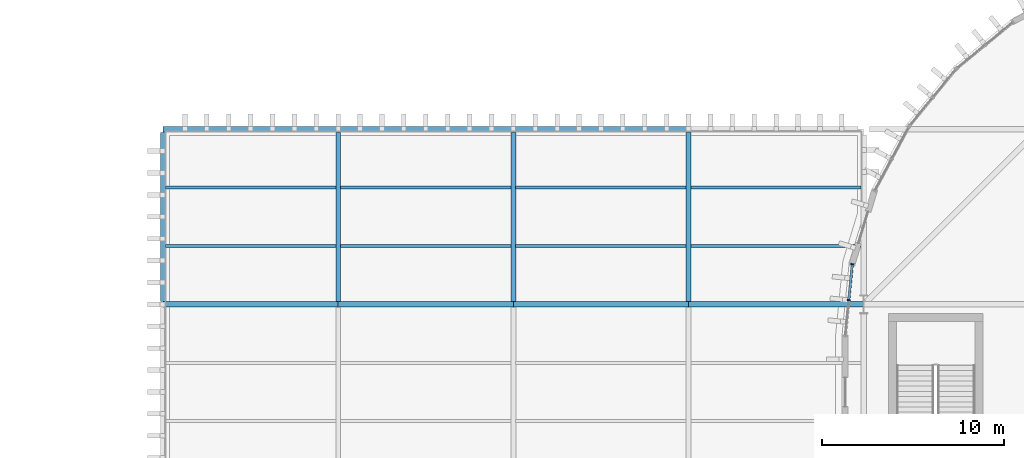
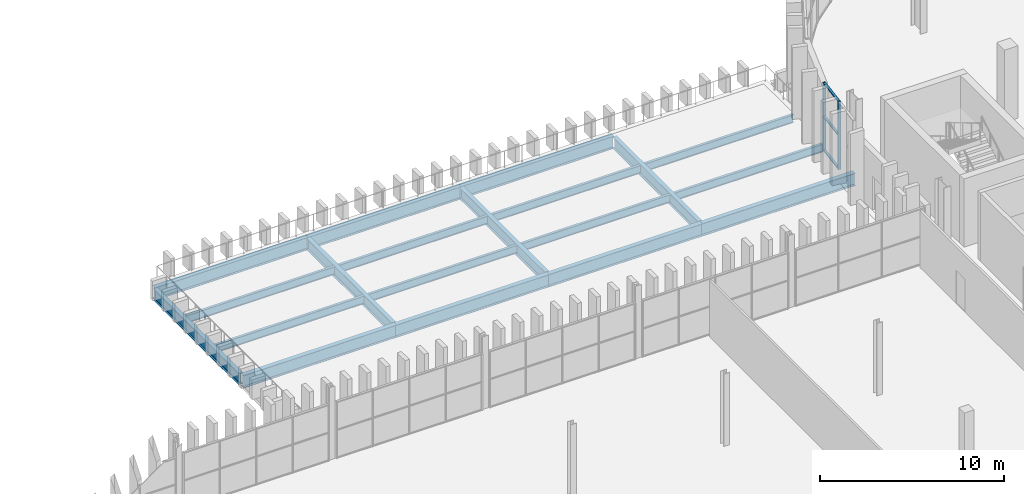
# One storey, part 30 of 99: 19 beams, 5 members, 1 element without a shape of its own.
"""IFC4 building model written with IfcOpenShell, lengths in metres."""

from ifc_helpers import new_model, si_unit, direction, frame, origin, origin_2d, place, context, subcontext, project, spatial, rectangle, i_section, extrude, material, layer, layer_set, material_profile, profile_set, type_object, element, aggregate, save


model = new_model("IFC4")

# Units and contexts
model_context = context("Model", 3, precision=1e-05, world=origin(), true_north=direction((0.0, 1.0)))
body_context = subcontext(model_context, "Body", "Model", "MODEL_VIEW")
ifc_project = project(units=[si_unit("LENGTHUNIT", "METRE"), si_unit("AREAUNIT", "SQUARE_METRE"), si_unit("VOLUMEUNIT", "CUBIC_METRE"), si_unit("PLANEANGLEUNIT", "RADIAN"), si_unit("MASSUNIT", "GRAM", prefix="KILO")], contexts=[model_context])

# Site, building, storey
site_placement = place(None, origin())
site = spatial("IfcSite", under=ifc_project, at=site_placement, CompositionType="ELEMENT")
building_placement = place(site_placement, origin())
building = spatial("IfcBuilding", under=site, at=building_placement, Name="Caelomonte Colonnade Arena", CompositionType="ELEMENT")
storey_placement = place(building_placement, frame((0.0, 0.0, 4.800048828125)))
storey = spatial("IfcBuildingStorey", under=building, at=storey_placement, Name="L01", CompositionType="ELEMENT", Elevation=4.800048828125)

# Curtain wall, members
ifc_material_1 = material(Name="Bronze anodised aluminium and low-E glazing", Category="aluminium")
ifc_layer = layer(ifc_material_1, 0.179931640625)
ifc_layer_set = layer_set([ifc_layer], Name="Bronze anodised aluminium and low-E glazing")
curtain_wall_type = type_object("IfcCurtainWallType", Name="ENV-CW-CW-L01-44-45", PredefinedType="USERDEFINED", material=ifc_layer_set)
curtain_wall_placement = place(storey_placement, origin())
curtain_wall = element("IfcCurtainWall", 1, at=curtain_wall_placement, inside=storey, type_object=curtain_wall_type, Name="L01 unitized curtain wall CW-L01-0568-0962", ObjectType="UNITIZED CURTAIN WALL", PredefinedType="USERDEFINED")
ifc_material_2 = material(Name="Bronze anodised aluminium AA6063-T6", Category="aluminium")
ifc_material_profile_1 = material_profile(ifc_material_2, rectangle(XDim=0.070068359375, YDim=0.179931640625, at=origin_2d()), Name="CWM-70X180")
ifc_profile_set_1 = profile_set([ifc_material_profile_1], Name="Bronze anodised aluminium AA6063-T6")
member_type_1 = type_object("IfcMemberType", Name="ENV-CW-MULL1", PredefinedType="MULLION", material=ifc_profile_set_1)
member_1_placement = place(storey_placement, frame((56.975341796875, 98.20458984375, 0.0), z_axis=(0.0, 0.0, 1.0), x_axis=(-0.098002498041, -0.995186168703, 0.0)))
member_1 = element("IfcMember", 2, at=member_1_placement, type_object=member_type_1, Name="CW-L01-44-45 mullion 1", PredefinedType="MULLION", context=body_context, shape_type="SweptSolid", body=[
    extrude(rectangle(XDim=0.070068359375, YDim=0.179931640625, at=origin_2d()), origin(), (0.0, 0.0, 1.0), 4.52001953125),
])
member_2_placement = place(storey_placement, frame((56.781005859375, 96.230712890625, 0.0), z_axis=(0.0, 0.0, 1.0), x_axis=(-0.098002498041, -0.995186168703, 0.0)))
member_2 = element("IfcMember", 3, at=member_2_placement, type_object=member_type_1, Name="CW-L01-44-45 mullion 2", PredefinedType="MULLION", context=body_context, shape_type="SweptSolid", body=[
    extrude(rectangle(XDim=0.070068359375, YDim=0.179931640625, at=origin_2d()), origin(), (0.0, 0.0, 1.0), 4.52001953125),
])
ifc_material_profile_2 = material_profile(ifc_material_2, rectangle(XDim=0.070068359375, YDim=0.139892578125, at=origin_2d()), Name="CWT-70X140")
ifc_profile_set_2 = profile_set([ifc_material_profile_2], Name="Bronze anodised aluminium AA6063-T6")
member_type_2 = type_object("IfcMemberType", Name="ENV-CW-TRAN1", PredefinedType="USERDEFINED", material=ifc_profile_set_2)
member_3_placement = place(storey_placement, frame((56.971923828125, 98.169677734375, 0.034912109375), z_axis=(-0.098000148132, -0.995186400111, 0.0), x_axis=(0.0, 0.0, 1.0)))
member_3 = element("IfcMember", 4, at=member_3_placement, type_object=member_type_2, Name="CW-L01-44-45 transom 1.1", ObjectType="TRANSOM", PredefinedType="USERDEFINED", context=body_context, shape_type="SweptSolid", body=[
    extrude(rectangle(XDim=0.070068359375, YDim=0.139892578125, at=origin_2d()), origin(), (0.0, 0.0, 1.0), 1.913330078125),
])
member_4_placement = place(storey_placement, frame((56.971923828125, 98.169677734375, 2.260009765625), z_axis=(-0.098000148132, -0.995186400111, 0.0), x_axis=(0.0, 0.0, 1.0)))
member_4 = element("IfcMember", 5, at=member_4_placement, type_object=member_type_2, Name="CW-L01-44-45 transom 1.2", ObjectType="TRANSOM", PredefinedType="USERDEFINED", context=body_context, shape_type="SweptSolid", body=[
    extrude(rectangle(XDim=0.070068359375, YDim=0.139892578125, at=origin_2d()), origin(), (0.0, 0.0, 1.0), 1.913330078125),
])
member_5_placement = place(storey_placement, frame((56.971923828125, 98.169677734375, 4.48486328125), z_axis=(-0.098000148132, -0.995186400111, 0.0), x_axis=(0.0, 0.0, 1.0)))
member_5 = element("IfcMember", 6, at=member_5_placement, type_object=member_type_2, Name="CW-L01-44-45 transom 1.3", ObjectType="TRANSOM", PredefinedType="USERDEFINED", context=body_context, shape_type="SweptSolid", body=[
    extrude(rectangle(XDim=0.070068359375, YDim=0.139892578125, at=origin_2d()), origin(), (0.0, 0.0, 1.0), 1.913330078125),
])
aggregate(curtain_wall, [member_1, member_2, member_3, member_4, member_5])

# Beams
ifc_material_3 = material(Name="Wide-flange steel ASTM A992 Grade 50", Category="steel")
ifc_material_profile_3 = material_profile(ifc_material_3, i_section(OverallWidth=0.2666015625, OverallDepth=0.761962890625, WebThickness=0.014404296875, FlangeThickness=0.021484375, FilletRadius=0.0166015625, at=origin_2d()), Name="W30X116")
ifc_profile_set_3 = profile_set([ifc_material_profile_3], Name="Wide-flange steel ASTM A992 Grade 50")
beam_type_1 = type_object("IfcBeamType", Name="STR-BM-GIRD30", PredefinedType="BEAM", material=ifc_profile_set_3)
for number, where, z_axis, x_axis, name in (
    (7, (19.199951171875, 96.170166015625, -0.68115234375), (0.0, 1.0, 0.0), (-1.0, 0.0, 0.0), "L01 girder BMY-L01-0192-0960"),
    (8, (28.800048828125, 96.170166015625, -0.68115234375), (0.0, 1.0, 0.0), (-1.0, 0.0, 0.0), "L01 girder BMY-L01-0288-0960"),
    (9, (38.39990234375, 96.170166015625, -0.68115234375), (0.0, 1.0, 0.0), (-1.0, 0.0, 0.0), "L01 girder BMY-L01-0384-0960"),
    (10, (48.0, 96.170166015625, -0.68115234375), (0.0, 1.0, 0.0), (-1.0, 0.0, 0.0), "L01 girder BMY-L01-0480-0960"),
):
    element("IfcBeam", number, at=place(storey_placement, frame(where, z_axis=z_axis, x_axis=x_axis)), inside=storey, type_object=beam_type_1, Name=name, PredefinedType="BEAM", context=body_context, shape_type="SweptSolid", body=[
        extrude(i_section(OverallWidth=0.2666015625, OverallDepth=0.761962890625, WebThickness=0.014404296875, FlangeThickness=0.021484375, FilletRadius=0.0166015625, at=origin_2d()), origin(), (0.0, 0.0, 1.0), 9.259765625),
    ])
ifc_material_profile_4 = material_profile(ifc_material_3, i_section(OverallWidth=0.2919921875, OverallDepth=0.835693359375, WebThickness=0.013916015625, FlangeThickness=0.018798828125, FilletRadius=0.017822265625, at=origin_2d()), Name="W33X118")
ifc_profile_set_4 = profile_set([ifc_material_profile_4], Name="Wide-flange steel ASTM A992 Grade 50")
beam_type_2 = type_object("IfcBeamType", Name="STR-BM-GIRD33B", PredefinedType="BEAM", material=ifc_profile_set_4)
beam_1_placement = place(storey_placement, frame((19.20556640625, 96.0, -0.7177734375), z_axis=(1.0, 0.0, 0.0), x_axis=(0.0, 1.0, 0.0)))
element("IfcBeam", 11, at=beam_1_placement, inside=storey, type_object=beam_type_2, Name="L01 girder BMX-L01-0192-0960", PredefinedType="BEAM", context=body_context, shape_type="SweptSolid", body=[
    extrude(i_section(OverallWidth=0.2919921875, OverallDepth=0.835693359375, WebThickness=0.013916015625, FlangeThickness=0.018798828125, FilletRadius=0.017822265625, at=origin_2d()), origin(), (0.0, 0.0, 1.0), 9.5888671875),
])
beam_2_placement = place(storey_placement, frame((28.8056640625, 96.0, -0.7177734375), z_axis=(1.0, 0.0, 0.0), x_axis=(0.0, 1.0, 0.0)))
element("IfcBeam", 12, at=beam_2_placement, inside=storey, type_object=beam_type_2, Name="L01 girder BMX-L01-0288-0960", PredefinedType="BEAM", context=body_context, shape_type="SweptSolid", body=[
    extrude(i_section(OverallWidth=0.2919921875, OverallDepth=0.835693359375, WebThickness=0.013916015625, FlangeThickness=0.018798828125, FilletRadius=0.017822265625, at=origin_2d()), origin(), (0.0, 0.0, 1.0), 9.588623046875),
])
beam_3_placement = place(storey_placement, frame((38.405517578125, 96.0, -0.7177734375), z_axis=(1.0, 0.0, 0.0), x_axis=(0.0, 1.0, 0.0)))
element("IfcBeam", 13, at=beam_3_placement, inside=storey, type_object=beam_type_2, Name="L01 girder BMX-L01-0384-0960", PredefinedType="BEAM", context=body_context, shape_type="SweptSolid", body=[
    extrude(i_section(OverallWidth=0.2919921875, OverallDepth=0.835693359375, WebThickness=0.013916015625, FlangeThickness=0.018798828125, FilletRadius=0.017822265625, at=origin_2d()), origin(), (0.0, 0.0, 1.0), 9.5888671875),
])
beam_4_placement = place(storey_placement, frame((48.005615234375, 96.0, -0.7177734375), z_axis=(1.0, 0.0, 0.0), x_axis=(0.0, 1.0, 0.0)))
element("IfcBeam", 14, at=beam_4_placement, inside=storey, type_object=beam_type_2, Name="L01 girder BMX-L01-0480-0960", PredefinedType="BEAM", context=body_context, shape_type="SweptSolid", body=[
    extrude(i_section(OverallWidth=0.2919921875, OverallDepth=0.835693359375, WebThickness=0.013916015625, FlangeThickness=0.018798828125, FilletRadius=0.017822265625, at=origin_2d()), origin(), (0.0, 0.0, 1.0), 9.578857421875),
])
beam_5_placement = place(storey_placement, frame((19.20556640625, 105.60009765625, -0.7177734375), z_axis=(1.0, 0.0, 0.0), x_axis=(0.0, 1.0, 0.0)))
element("IfcBeam", 15, at=beam_5_placement, inside=storey, type_object=beam_type_2, Name="L01 girder BMX-L01-0192-1056", PredefinedType="BEAM", context=body_context, shape_type="SweptSolid", body=[
    extrude(i_section(OverallWidth=0.2919921875, OverallDepth=0.835693359375, WebThickness=0.013916015625, FlangeThickness=0.018798828125, FilletRadius=0.017822265625, at=origin_2d()), origin(), (0.0, 0.0, 1.0), 9.5888671875),
])
beam_6_placement = place(storey_placement, frame((28.8056640625, 105.60009765625, -0.7177734375), z_axis=(1.0, 0.0, 0.0), x_axis=(0.0, 1.0, 0.0)))
element("IfcBeam", 16, at=beam_6_placement, inside=storey, type_object=beam_type_2, Name="L01 girder BMX-L01-0288-1056", PredefinedType="BEAM", context=body_context, shape_type="SweptSolid", body=[
    extrude(i_section(OverallWidth=0.2919921875, OverallDepth=0.835693359375, WebThickness=0.013916015625, FlangeThickness=0.018798828125, FilletRadius=0.017822265625, at=origin_2d()), origin(), (0.0, 0.0, 1.0), 9.588623046875),
])
beam_7_placement = place(storey_placement, frame((38.405517578125, 105.60009765625, -0.7177734375), z_axis=(1.0, 0.0, 0.0), x_axis=(0.0, 1.0, 0.0)))
element("IfcBeam", 17, at=beam_7_placement, inside=storey, type_object=beam_type_2, Name="L01 girder BMX-L01-0384-1056", PredefinedType="BEAM", context=body_context, shape_type="SweptSolid", body=[
    extrude(i_section(OverallWidth=0.2919921875, OverallDepth=0.835693359375, WebThickness=0.013916015625, FlangeThickness=0.018798828125, FilletRadius=0.017822265625, at=origin_2d()), origin(), (0.0, 0.0, 1.0), 9.5888671875),
])
ifc_material_profile_5 = material_profile(ifc_material_3, i_section(OverallWidth=0.166015625, OverallDepth=0.5283203125, WebThickness=0.009765625, FlangeThickness=0.013671875, FilletRadius=0.0126953125, at=origin_2d()), Name="W21X50")
ifc_profile_set_5 = profile_set([ifc_material_profile_5], Name="Wide-flange steel ASTM A992 Grade 50")
beam_type_3 = type_object("IfcBeamType", Name="STR-BM-JOIST21B", PredefinedType="JOIST", material=ifc_profile_set_5)
for number, where, z_axis, x_axis, name in (
    (18, (19.328369140625, 99.199951171875, -0.564208984375), (1.0, 0.0, 0.0), (0.0, 1.0, 0.0), "L01 secondary joist 1"),
    (19, (19.328369140625, 102.39990234375, -0.564208984375), (1.0, 0.0, 0.0), (0.0, 1.0, 0.0), "L01 secondary joist 2"),
    (20, (28.928466796875, 99.199951171875, -0.564208984375), (1.0, 0.0, 0.0), (0.0, 1.0, 0.0), "L01 secondary joist 1"),
    (21, (28.928466796875, 102.39990234375, -0.564208984375), (1.0, 0.0, 0.0), (0.0, 1.0, 0.0), "L01 secondary joist 2"),
    (22, (38.5283203125, 99.199951171875, -0.564208984375), (1.0, 0.0, 0.0), (0.0, 1.0, 0.0), "L01 secondary joist 1"),
    (23, (38.5283203125, 102.39990234375, -0.564208984375), (1.0, 0.0, 0.0), (0.0, 1.0, 0.0), "L01 secondary joist 2"),
):
    element("IfcBeam", number, at=place(storey_placement, frame(where, z_axis=z_axis, x_axis=x_axis)), inside=storey, type_object=beam_type_3, Name=name, PredefinedType="JOIST", context=body_context, shape_type="SweptSolid", body=[
        extrude(i_section(OverallWidth=0.166015625, OverallDepth=0.5283203125, WebThickness=0.009765625, FlangeThickness=0.013671875, FilletRadius=0.0126953125, at=origin_2d()), origin(), (0.0, 0.0, 1.0), 9.34326171875),
    ])
for number, where, z_axis, x_axis, name in (
    (24, (48.12841796875, 99.199951171875, -0.564208984375), (1.0, 0.0, 0.0), (0.0, 1.0, 0.0), "L01 secondary joist 1"),
    (25, (48.12841796875, 102.39990234375, -0.564208984375), (1.0, 0.0, 0.0), (0.0, 1.0, 0.0), "L01 secondary joist 2"),
):
    element("IfcBeam", number, at=place(storey_placement, frame(where, z_axis=z_axis, x_axis=x_axis)), inside=storey, type_object=beam_type_3, Name=name, PredefinedType="JOIST", context=body_context, shape_type="SweptSolid", body=[
        extrude(i_section(OverallWidth=0.166015625, OverallDepth=0.5283203125, WebThickness=0.009765625, FlangeThickness=0.013671875, FilletRadius=0.0126953125, at=origin_2d()), origin(), (0.0, 0.0, 1.0), 9.32275390625),
    ])

save(model, "model.ifc")
